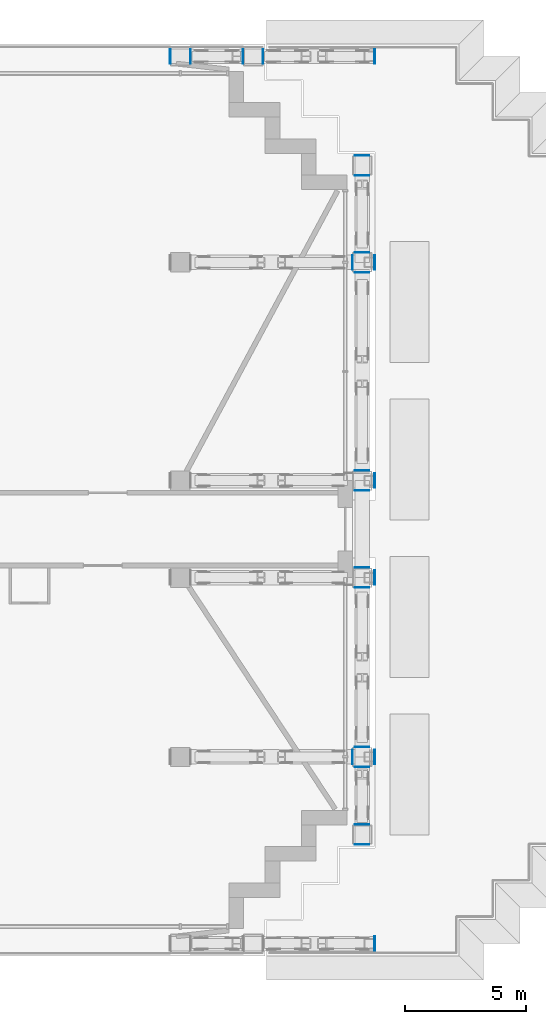
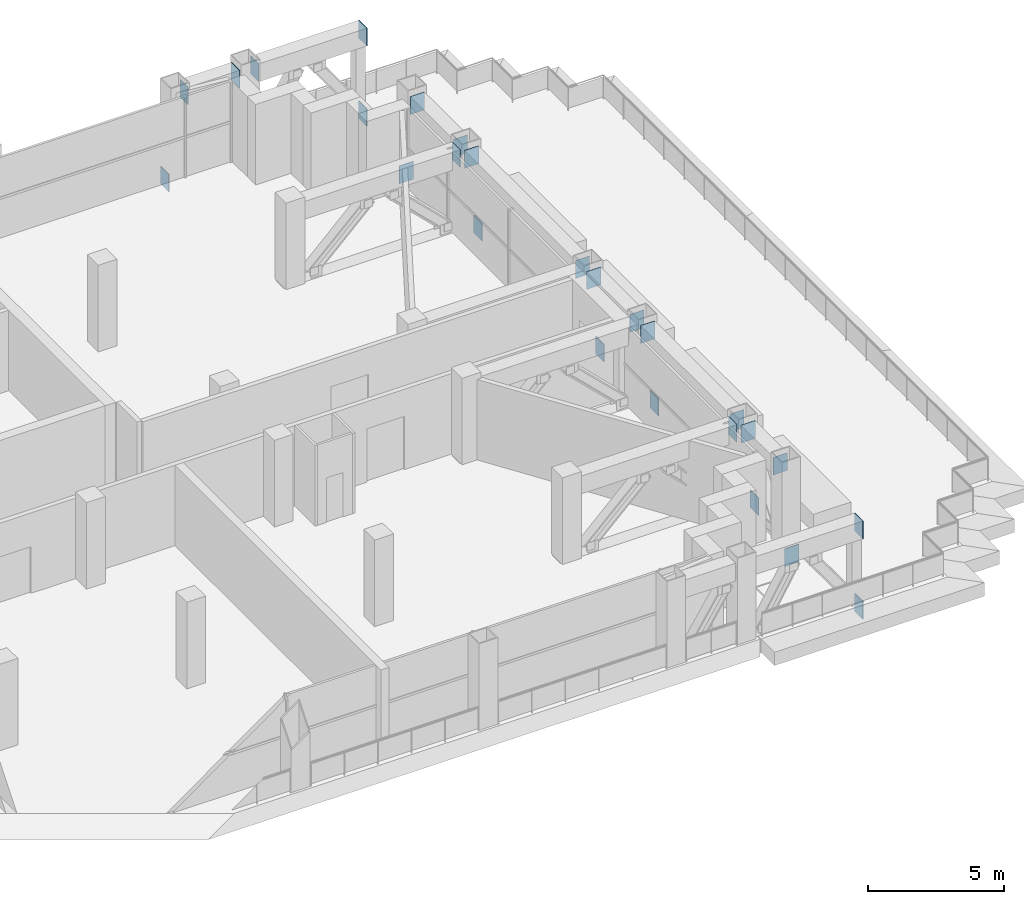
# One storey, part 15 of 25: 26 discrete accessories.
"""IFC4 building model written with IfcOpenShell, lengths in metres."""

from ifc_helpers import new_model, si_unit, direction, frame, origin, origin_2d, place, context, subcontext, project, spatial, rectangle, extrude, element, save


model = new_model("IFC4")

# Units and contexts
model_context = context("Model", 3, precision=1e-05, world=origin(), true_north=direction((0.0, 1.0)))
body_context = subcontext(model_context, "Body", "Model", "MODEL_VIEW")
ifc_project = project(units=[si_unit("LENGTHUNIT", "METRE"), si_unit("AREAUNIT", "SQUARE_METRE"), si_unit("VOLUMEUNIT", "CUBIC_METRE"), si_unit("PLANEANGLEUNIT", "RADIAN"), si_unit("MASSUNIT", "GRAM", prefix="KILO")], contexts=[model_context])

# Site, building, storey
site_placement = place(None, origin())
site = spatial("IfcSite", under=ifc_project, at=site_placement, CompositionType="ELEMENT")
building_placement = place(site_placement, origin())
building = spatial("IfcBuilding", under=site, at=building_placement, Name="Vidyagriha Tower", CompositionType="ELEMENT")
storey_placement = place(building_placement, frame((0.0, 0.0, 115.89990234375)))
storey = spatial("IfcBuildingStorey", under=building, at=storey_placement, Name="L29", CompositionType="ELEMENT", Elevation=115.89990234375)

# Discrete accessories
for number, where, name in (
    (1, (34.014892578125, -17.10009765625, -0.7998046875), "Chord end plate"),
    (2, (34.014892578125, -17.10009765625, 2.8203125), "Chord end plate"),
    (3, (34.014892578125, -9.39990234375, -0.7998046875), "Chord end plate"),
    (4, (34.014892578125, -2.0, -0.7998046875), "Chord end plate"),
    (5, (34.014892578125, 2.0, -0.7998046875), "Chord end plate"),
    (6, (34.014892578125, 11.0, -0.7998046875), "Chord end plate"),
):
    element("IfcDiscreteAccessory", number, at=place(storey_placement, frame(where)), inside=storey, Name=name, ObjectType="END PLATE", PredefinedType="USERDEFINED", context=body_context, shape_type="SweptSolid", body=[
        extrude(rectangle(XDim=0.030029296875, YDim=0.60009765625, at=origin_2d()), origin(), (0.0, 0.0, 1.0), 0.800048828125),
    ])
discrete_accessory_1_placement = place(storey_placement, frame((25.5849609375, 19.5, -0.7998046875), z_axis=(0.0, 0.0, 1.0), x_axis=(-1.0, 0.0, 0.0)))
element("IfcDiscreteAccessory", 7, at=discrete_accessory_1_placement, inside=storey, Name="Chord end plate", ObjectType="END PLATE", PredefinedType="USERDEFINED", context=body_context, shape_type="SweptSolid", body=[
    extrude(rectangle(XDim=0.030029296875, YDim=0.60009765625, at=origin_2d()), origin(), (0.0, 0.0, 1.0), 0.800048828125),
])
for number, where, name in (
    (8, (34.014892578125, 19.5, -0.7998046875), "Chord end plate"),
    (9, (34.014892578125, 19.5, 2.8203125), "Chord end plate"),
):
    element("IfcDiscreteAccessory", number, at=place(storey_placement, frame(where)), inside=storey, Name=name, ObjectType="END PLATE", PredefinedType="USERDEFINED", context=body_context, shape_type="SweptSolid", body=[
        extrude(rectangle(XDim=0.030029296875, YDim=0.60009765625, at=origin_2d()), origin(), (0.0, 0.0, 1.0), 0.800048828125),
    ])
for number, where, z_axis, x_axis, name in (
    (10, (33.5, -13.014892578125, -0.7998046875), (0.0, 0.0, 1.0), (0.0, -1.0, 0.0), "Chord end plate"),
    (11, (33.5, 15.4150390625, -0.7998046875), (0.0, 0.0, 1.0), (0.0, 1.0, 0.0), "Chord end plate"),
):
    element("IfcDiscreteAccessory", number, at=place(storey_placement, frame(where, z_axis=z_axis, x_axis=x_axis)), inside=storey, Name=name, ObjectType="END PLATE", PredefinedType="USERDEFINED", context=body_context, shape_type="SweptSolid", body=[
        extrude(rectangle(XDim=0.030029296875, YDim=0.60009765625, at=origin_2d()), origin(), (0.0, 0.0, 1.0), 0.800048828125),
    ])
for number, where, name in (
    (12, (33.090087890625, -9.39990234375, 2.8203125), "End plate ASTM A572 Grade 50 20mm"),
    (13, (33.090087890625, 11.0, 2.8203125), "End plate ASTM A572 Grade 50 20mm"),
):
    element("IfcDiscreteAccessory", number, at=place(storey_placement, frame(where)), inside=storey, Name=name, ObjectType="END PLATE", PredefinedType="USERDEFINED", context=body_context, shape_type="SweptSolid", body=[
        extrude(rectangle(XDim=0.02001953125, YDim=0.60009765625, at=origin_2d()), origin(), (0.0, 0.0, 1.0), 0.800048828125),
    ])
discrete_accessory_2_placement = place(storey_placement, frame((26.40966796875, 19.5, 2.8203125), z_axis=(0.0, 0.0, 1.0), x_axis=(-1.0, 0.0, 0.0)))
element("IfcDiscreteAccessory", 14, at=discrete_accessory_2_placement, inside=storey, Name="End plate ASTM A572 Grade 50 20mm", ObjectType="END PLATE", PredefinedType="USERDEFINED", context=body_context, shape_type="SweptSolid", body=[
    extrude(rectangle(XDim=0.02001953125, YDim=0.60009765625, at=origin_2d()), origin(), (0.0, 0.0, 1.0), 0.800048828125),
])
discrete_accessory_3_placement = place(storey_placement, frame((28.59033203125, 19.5, 2.8203125)))
element("IfcDiscreteAccessory", 15, at=discrete_accessory_3_placement, inside=storey, Name="End plate ASTM A572 Grade 50 20mm", ObjectType="END PLATE", PredefinedType="USERDEFINED", context=body_context, shape_type="SweptSolid", body=[
    extrude(rectangle(XDim=0.02001953125, YDim=0.60009765625, at=origin_2d()), origin(), (0.0, 0.0, 1.0), 0.800048828125),
])
for number, where, z_axis, x_axis, name in (
    (16, (29.40966796875, 19.5, 2.8203125), (0.0, 0.0, 1.0), (-1.0, 0.0, 0.0), "End plate ASTM A572 Grade 50 20mm"),
    (17, (33.5, -12.190185546875, 2.8203125), (0.0, 0.0, 1.0), (0.0, -1.0, 0.0), "End plate ASTM A572 Grade 50 20mm"),
    (18, (33.5, -9.809814453125, 2.8203125), (0.0, 0.0, 1.0), (0.0, 1.0, 0.0), "End plate ASTM A572 Grade 50 20mm"),
    (19, (33.5, -8.990234375, 2.8203125), (0.0, 0.0, 1.0), (0.0, -1.0, 0.0), "End plate ASTM A572 Grade 50 20mm"),
    (20, (33.5, -2.40966796875, 2.8203125), (0.0, 0.0, 1.0), (0.0, 1.0, 0.0), "End plate ASTM A572 Grade 50 20mm"),
    (21, (33.5, -1.590087890625, 2.8203125), (0.0, 0.0, 1.0), (0.0, -1.0, 0.0), "End plate ASTM A572 Grade 50 20mm"),
    (22, (33.5, 1.590087890625, 2.8203125), (0.0, 0.0, 1.0), (0.0, 1.0, 0.0), "End plate ASTM A572 Grade 50 20mm"),
    (23, (33.5, 2.40966796875, 2.8203125), (0.0, 0.0, 1.0), (0.0, -1.0, 0.0), "End plate ASTM A572 Grade 50 20mm"),
    (24, (33.5, 10.590087890625, 2.8203125), (0.0, 0.0, 1.0), (0.0, 1.0, 0.0), "End plate ASTM A572 Grade 50 20mm"),
    (25, (33.5, 11.409912109375, 2.8203125), (0.0, 0.0, 1.0), (0.0, -1.0, 0.0), "End plate ASTM A572 Grade 50 20mm"),
    (26, (33.5, 14.590087890625, 2.8203125), (0.0, 0.0, 1.0), (0.0, 1.0, 0.0), "End plate ASTM A572 Grade 50 20mm"),
):
    element("IfcDiscreteAccessory", number, at=place(storey_placement, frame(where, z_axis=z_axis, x_axis=x_axis)), inside=storey, Name=name, ObjectType="END PLATE", PredefinedType="USERDEFINED", context=body_context, shape_type="SweptSolid", body=[
        extrude(rectangle(XDim=0.02001953125, YDim=0.60009765625, at=origin_2d()), origin(), (0.0, 0.0, 1.0), 0.800048828125),
    ])

save(model, "model.ifc")
